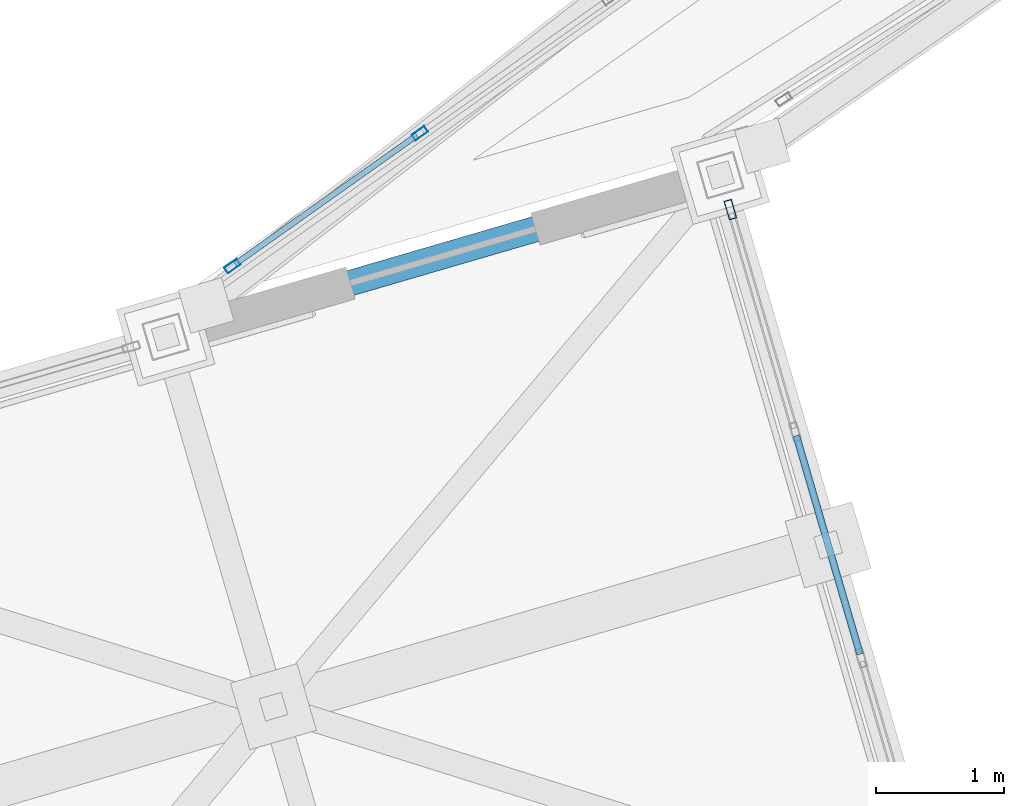
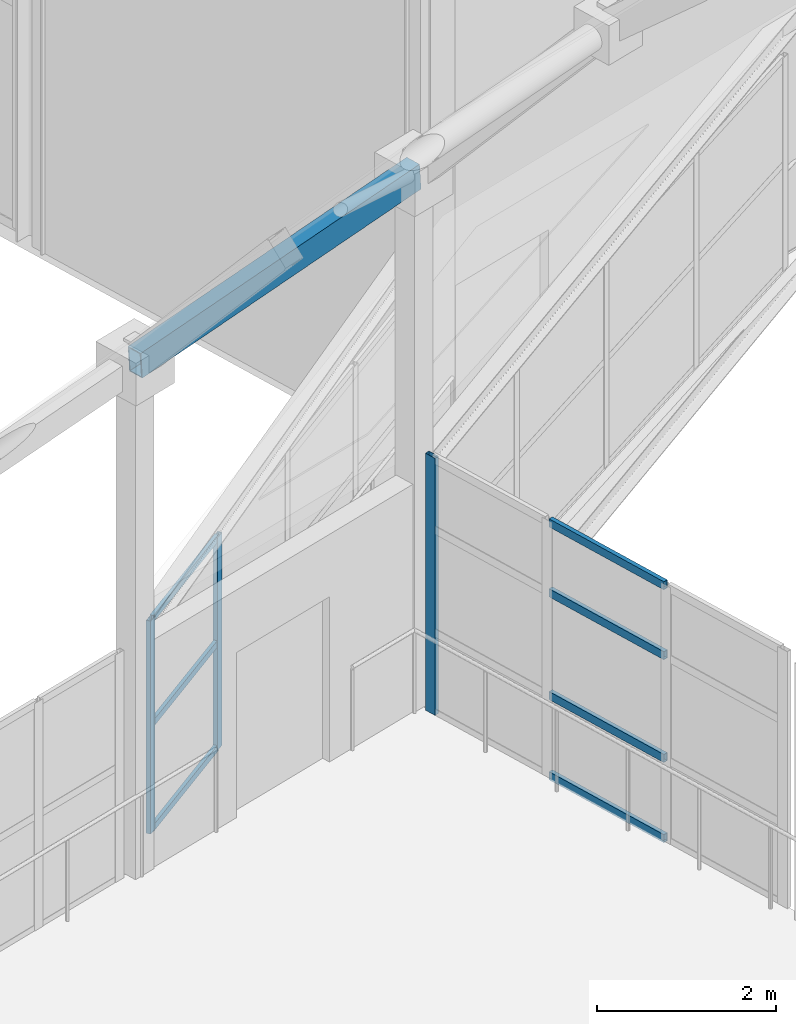
# One storey, part 129 of 248: 10 members, 1 beam, 2 elements without a shape of their own.
"""IFC4 building model written with IfcOpenShell, lengths in metres."""

from ifc_helpers import new_model, si_unit, direction, frame, origin, origin_2d, place, context, subcontext, project, spatial, hollow_rectangle, extrude, material, layer, layer_set, material_profile, profile_set, type_object, element, aggregate, save


model = new_model("IFC4")

# Units and contexts
model_context = context("Model", 3, precision=1e-05, world=origin(), true_north=direction((0.0, 1.0)))
body_context = subcontext(model_context, "Body", "Model", "MODEL_VIEW")
ifc_project = project(units=[si_unit("LENGTHUNIT", "METRE"), si_unit("AREAUNIT", "SQUARE_METRE"), si_unit("VOLUMEUNIT", "CUBIC_METRE"), si_unit("PLANEANGLEUNIT", "RADIAN"), si_unit("MASSUNIT", "GRAM", prefix="KILO")], contexts=[model_context])

# Site, building, storey
site_placement = place(None, origin())
site = spatial("IfcSite", under=ifc_project, at=site_placement, CompositionType="ELEMENT")
building_placement = place(site_placement, origin())
building = spatial("IfcBuilding", under=site, at=building_placement, Name="Canggui Botanical Conservatory", CompositionType="ELEMENT")
storey_placement = place(building_placement, frame((0.0, 0.0, 5.39990234375)))
storey = spatial("IfcBuildingStorey", under=building, at=storey_placement, Name="L02", CompositionType="ELEMENT", Elevation=5.39990234375)

# Beam
ifc_material_1 = material(Name="Steel Q355C", Category="steel")
ifc_material_profile_1 = material_profile(ifc_material_1, hollow_rectangle(XDim=0.199951171875, YDim=0.35009765625, WallThickness=0.011962890625, at=origin_2d()), Name="RHS 200x350x12")
ifc_profile_set_1 = profile_set([ifc_material_profile_1], Name="Steel Q355C")
beam_type = type_object("IfcBeamType", Name="BM-RING01", PredefinedType="BEAM", material=ifc_profile_set_1)
beam_placement = place(storey_placement, frame((59.1201171875, 84.659912109375, 6.900146484375), z_axis=(0.957869267253, 0.279392070097, 0.066532232929), x_axis=(-0.280012500437, 0.959996353951, 0.0)))
element("IfcBeam", 1, at=beam_placement, inside=storey, type_object=beam_type, Name="Conservatory Perimeter Ring Beam V1-14", PredefinedType="BEAM", context=body_context, shape_type="SweptSolid", body=[
    extrude(hollow_rectangle(XDim=0.199951171875, YDim=0.35009765625, WallThickness=0.011962890625, at=origin_2d()), origin(), (0.0, 0.0, 1.0), 4.509765625),
])

# Curtain wall, member
ifc_material_2 = material(Name="Thermally Broken Aluminium", Category="aluminium")
ifc_layer_1 = layer(ifc_material_2, 0.14990234375, Name="Thermally Broken Aluminium", Category="aluminium")
ifc_layer_set_1 = layer_set([ifc_layer_1], Name="Thermally Broken Aluminium")
curtain_wall_type_1 = type_object("IfcCurtainWallType", Name="CW-UNIT-C", PredefinedType="USERDEFINED", material=ifc_layer_set_1)
curtain_wall_1_placement = place(storey_placement, origin())
curtain_wall_1 = element("IfcCurtainWall", 2, at=curtain_wall_1_placement, inside=storey, type_object=curtain_wall_type_1, Name="Facade Curtain Wall CW-CONS-GABLE-L02-N-05", ObjectType="UNITISED CURTAIN WALL", PredefinedType="USERDEFINED")
ifc_material_profile_2 = material_profile(ifc_material_2, hollow_rectangle(XDim=0.06005859375, YDim=0.14990234375, WallThickness=0.00341796875, at=origin_2d()), Name="CWM 60x150x3.5")
ifc_profile_set_2 = profile_set([ifc_material_profile_2], Name="Thermally Broken Aluminium")
member_type_1 = type_object("IfcMemberType", Name="CWM-03", PredefinedType="MULLION", material=ifc_profile_set_2)
member_1_placement = place(storey_placement, frame((63.518310546875, 85.651123046875, 0.0), z_axis=(0.0, 0.0, 1.0), x_axis=(-0.960000000002, -0.279999999995, 0.0)))
member_1 = element("IfcMember", 3, at=member_1_placement, type_object=member_type_1, Name="CW-03 mullion 4", PredefinedType="MULLION", context=body_context, shape_type="SweptSolid", body=[
    extrude(hollow_rectangle(XDim=0.06005859375, YDim=0.14990234375, WallThickness=0.00341796875, at=origin_2d()), origin(), (0.0, 0.0, 1.0), 3.5),
])

# Curtain wall, members
ifc_layer_2 = layer(ifc_material_2, 0.1201171875, Name="Thermally Broken Aluminium", Category="aluminium")
ifc_layer_set_2 = layer_set([ifc_layer_2], Name="Thermally Broken Aluminium")
curtain_wall_type_2 = type_object("IfcCurtainWallType", Name="CW-STICK-B", PredefinedType="USERDEFINED", material=ifc_layer_set_2)
curtain_wall_2_placement = place(storey_placement, origin())
curtain_wall_2 = element("IfcCurtainWall", 4, at=curtain_wall_2_placement, inside=storey, type_object=curtain_wall_type_2, Name="Facade Curtain Wall CW-SB-03-1", ObjectType="STICK GLAZED WALL", PredefinedType="USERDEFINED")
ifc_material_profile_3 = material_profile(ifc_material_2, hollow_rectangle(XDim=0.054931640625, YDim=0.1201171875, WallThickness=0.0029296875, at=origin_2d()), Name="CWM 55x120x3")
ifc_profile_set_3 = profile_set([ifc_material_profile_3], Name="Thermally Broken Aluminium")
member_type_2 = type_object("IfcMemberType", Name="CWM-05", PredefinedType="MULLION", material=ifc_profile_set_3)
member_2_placement = place(storey_placement, frame((59.639892578125, 85.211181640625, 0.0), z_axis=(0.0, 0.0, 1.0), x_axis=(-0.578282160778, 0.815836835725, 0.0)))
member_2 = element("IfcMember", 5, at=member_2_placement, type_object=member_type_2, Name="CW-05 mullion 1", PredefinedType="MULLION", context=body_context, shape_type="SweptSolid", body=[
    extrude(hollow_rectangle(XDim=0.054931640625, YDim=0.1201171875, WallThickness=0.0029296875, at=origin_2d()), origin(), (0.0, 0.0, 1.0), 2.900146484375),
])
member_3_placement = place(storey_placement, frame((61.100341796875, 86.246337890625, 0.0), z_axis=(0.0, 0.0, 1.0), x_axis=(-0.578282160778, 0.815836835725, 0.0)))
member_3 = element("IfcMember", 6, at=member_3_placement, type_object=member_type_2, Name="CW-05 mullion 2", PredefinedType="MULLION", context=body_context, shape_type="SweptSolid", body=[
    extrude(hollow_rectangle(XDim=0.054931640625, YDim=0.1201171875, WallThickness=0.0029296875, at=origin_2d()), origin(), (0.0, 0.0, 1.0), 2.900146484375),
])

# Member
ifc_material_profile_4 = material_profile(ifc_material_2, hollow_rectangle(XDim=0.054931640625, YDim=0.110107421875, WallThickness=0.0029296875, at=origin_2d()), Name="CWT 55x110x3")
ifc_profile_set_4 = profile_set([ifc_material_profile_4], Name="Thermally Broken Aluminium")
member_type_3 = type_object("IfcMemberType", Name="CWT-03", PredefinedType="USERDEFINED", material=ifc_profile_set_4)
member_4_placement = place(storey_placement, frame((64.5283203125, 82.188720703125, 0.027587890625), z_axis=(-0.280026433067, 0.95999228996, 0.0), x_axis=(-0.95999228996, -0.280026433067, 0.0)))
member_4 = element("IfcMember", 7, at=member_4_placement, type_object=member_type_3, Name="CW-03 transom 2.1", ObjectType="TRANSOM", PredefinedType="USERDEFINED", context=body_context, shape_type="SweptSolid", body=[
    extrude(hollow_rectangle(XDim=0.054931640625, YDim=0.110107421875, WallThickness=0.0029296875, at=origin_2d()), origin(), (0.0, 0.0, 1.0), 1.7734375),
])

member_5_placement = place(storey_placement, frame((64.5283203125, 82.188720703125, 1.1201171875), z_axis=(-0.280026433067, 0.95999228996, 0.0), x_axis=(-0.95999228996, -0.280026433067, 0.0)))
member_5 = element("IfcMember", 8, at=member_5_placement, type_object=member_type_3, Name="CW-03 transom 2.2", ObjectType="TRANSOM", PredefinedType="USERDEFINED", context=body_context, shape_type="SweptSolid", body=[
    extrude(hollow_rectangle(XDim=0.054931640625, YDim=0.110107421875, WallThickness=0.0029296875, at=origin_2d()), origin(), (0.0, 0.0, 1.0), 1.7734375),
])

member_6_placement = place(storey_placement, frame((64.5283203125, 82.188720703125, 2.52001953125), z_axis=(-0.280026433067, 0.95999228996, 0.0), x_axis=(-0.95999228996, -0.280026433067, 0.0)))
member_6 = element("IfcMember", 9, at=member_6_placement, type_object=member_type_3, Name="CW-03 transom 2.3", ObjectType="TRANSOM", PredefinedType="USERDEFINED", context=body_context, shape_type="SweptSolid", body=[
    extrude(hollow_rectangle(XDim=0.054931640625, YDim=0.110107421875, WallThickness=0.0029296875, at=origin_2d()), origin(), (0.0, 0.0, 1.0), 1.7734375),
])

member_7_placement = place(storey_placement, frame((64.5283203125, 82.188720703125, 3.47265625), z_axis=(-0.280026433067, 0.95999228996, 0.0), x_axis=(-0.95999228996, -0.280026433067, 0.0)))
member_7 = element("IfcMember", 10, at=member_7_placement, type_object=member_type_3, Name="CW-03 transom 2.4", ObjectType="TRANSOM", PredefinedType="USERDEFINED", context=body_context, shape_type="SweptSolid", body=[
    extrude(hollow_rectangle(XDim=0.054931640625, YDim=0.110107421875, WallThickness=0.0029296875, at=origin_2d()), origin(), (0.0, 0.0, 1.0), 1.7734375),
])

aggregate(curtain_wall_1, [member_1, member_4, member_5, member_6, member_7])

ifc_material_profile_5 = material_profile(ifc_material_2, hollow_rectangle(XDim=0.044921875, YDim=0.090087890625, WallThickness=0.0029296875, at=origin_2d()), Name="CWT 45x90x3")
ifc_profile_set_5 = profile_set([ifc_material_profile_5], Name="Thermally Broken Aluminium")
member_type_4 = type_object("IfcMemberType", Name="CWT-05", PredefinedType="USERDEFINED", material=ifc_profile_set_5)
member_8_placement = place(storey_placement, frame((59.662353515625, 85.22705078125, 0.022705078125), z_axis=(0.815819794658, 0.578306201457, 0.0), x_axis=(-0.578306201457, 0.815819794658, 0.0)))
member_8 = element("IfcMember", 11, at=member_8_placement, type_object=member_type_4, Name="CW-05 transom 1.1", ObjectType="TRANSOM", PredefinedType="USERDEFINED", context=body_context, shape_type="SweptSolid", body=[
    extrude(hollow_rectangle(XDim=0.044921875, YDim=0.090087890625, WallThickness=0.0029296875, at=origin_2d()), origin(), (0.0, 0.0, 1.0), 1.735107421875),
])

member_9_placement = place(storey_placement, frame((59.662353515625, 85.22705078125, 1.4501953125), z_axis=(0.815819794658, 0.578306201457, 0.0), x_axis=(-0.578306201457, 0.815819794658, 0.0)))
member_9 = element("IfcMember", 12, at=member_9_placement, type_object=member_type_4, Name="CW-05 transom 1.2", ObjectType="TRANSOM", PredefinedType="USERDEFINED", context=body_context, shape_type="SweptSolid", body=[
    extrude(hollow_rectangle(XDim=0.044921875, YDim=0.090087890625, WallThickness=0.0029296875, at=origin_2d()), origin(), (0.0, 0.0, 1.0), 1.735107421875),
])

member_10_placement = place(storey_placement, frame((59.662353515625, 85.22705078125, 2.877685546875), z_axis=(0.815819794658, 0.578306201457, 0.0), x_axis=(-0.578306201457, 0.815819794658, 0.0)))
member_10 = element("IfcMember", 13, at=member_10_placement, type_object=member_type_4, Name="CW-05 transom 1.3", ObjectType="TRANSOM", PredefinedType="USERDEFINED", context=body_context, shape_type="SweptSolid", body=[
    extrude(hollow_rectangle(XDim=0.044921875, YDim=0.090087890625, WallThickness=0.0029296875, at=origin_2d()), origin(), (0.0, 0.0, 1.0), 1.735107421875),
])

aggregate(curtain_wall_2, [member_2, member_3, member_8, member_9, member_10])

save(model, "model.ifc")
